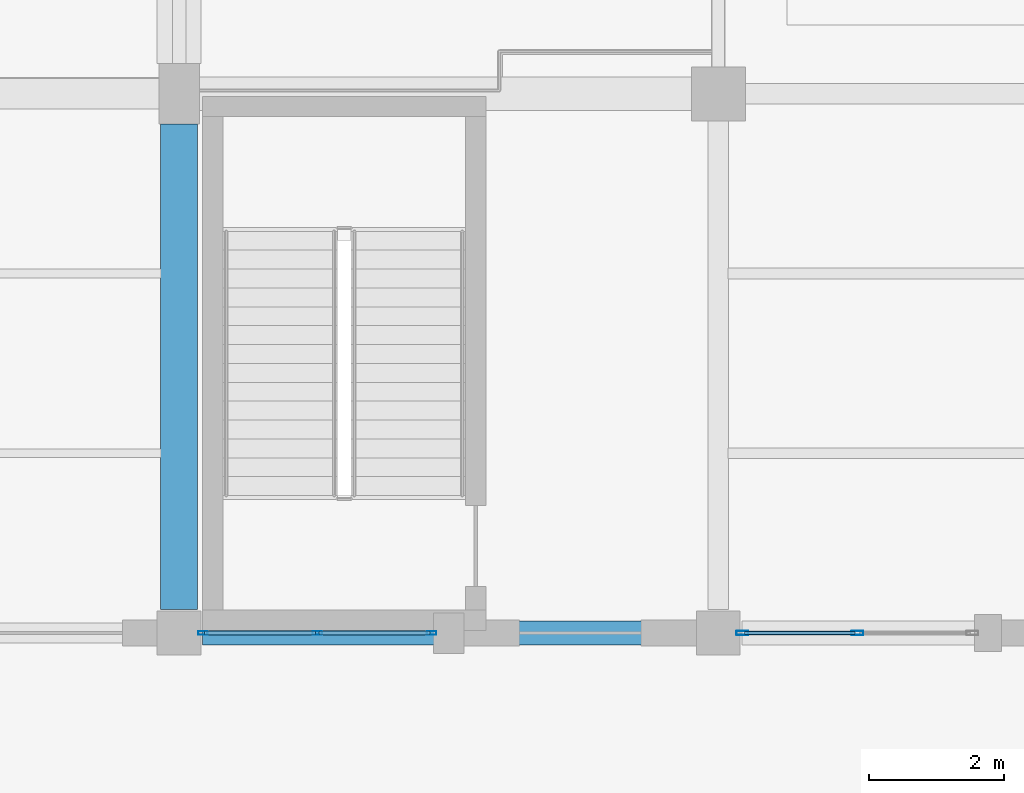
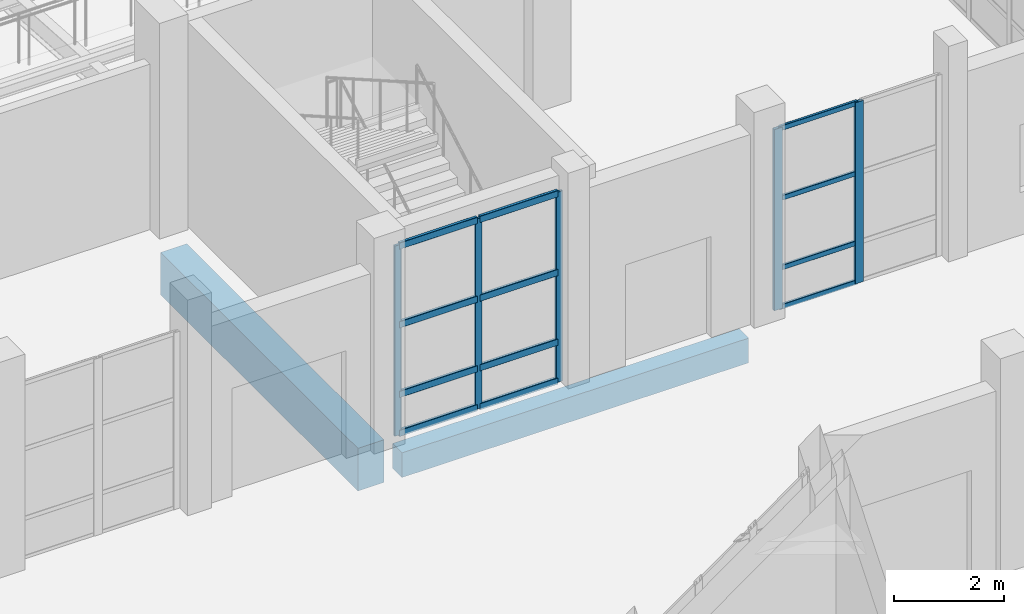
# One storey, part 35 of 156: 17 members, 2 beams, 2 elements without a shape of their own.
"""IFC4 building model written with IfcOpenShell, lengths in metres."""

from ifc_helpers import new_model, si_unit, direction, frame, origin, origin_2d, place, context, subcontext, project, spatial, rectangle, hollow_rectangle, extrude, material, material_profile, profile_set, type_object, element, aggregate, save


model = new_model("IFC4")

# Units and contexts
model_context = context("Model", 3, precision=1e-05, world=origin(), true_north=direction((0.0, 1.0)))
body_context = subcontext(model_context, "Body", "Model", "MODEL_VIEW")
ifc_project = project(units=[si_unit("LENGTHUNIT", "METRE"), si_unit("AREAUNIT", "SQUARE_METRE"), si_unit("VOLUMEUNIT", "CUBIC_METRE"), si_unit("PLANEANGLEUNIT", "RADIAN"), si_unit("MASSUNIT", "GRAM", prefix="KILO")], contexts=[model_context])

# Site, building, storey
site_placement = place(None, origin())
site = spatial("IfcSite", under=ifc_project, at=site_placement, CompositionType="ELEMENT")
building_placement = place(site_placement, origin())
building = spatial("IfcBuilding", under=site, at=building_placement, Name="Luwemba Playhouse", CompositionType="ELEMENT")
storey_placement = place(building_placement, origin())
storey = spatial("IfcBuildingStorey", under=building, at=storey_placement, Name="L00", CompositionType="ELEMENT", Elevation=0.0)

# Beams
ifc_material_1 = material(Name="Concrete C40/50", Category="concrete")
ifc_material_profile_1 = material_profile(ifc_material_1, rectangle(XDim=0.550048828125, YDim=0.949951171875, at=origin_2d()))
ifc_profile_set_1 = profile_set([ifc_material_profile_1], Name="Concrete C40/50")
beam_type_1 = type_object("IfcBeamType", Name="BM-RB08", PredefinedType="BEAM", material=ifc_profile_set_1)
beam_1_placement = place(storey_placement, frame((36.0, 36.35009765625, -0.77490234375), z_axis=(0.0, 1.0, 0.0), x_axis=(-1.0, 0.0, 0.0)))
element("IfcBeam", 1, at=beam_1_placement, inside=storey, type_object=beam_type_1, Name="L00 transverse girder 0031", PredefinedType="BEAM", context=body_context, shape_type="SweptSolid", body=[
    extrude(rectangle(XDim=0.550048828125, YDim=0.949951171875, at=origin_2d()), origin(), (0.0, 0.0, 1.0), 7.199951171875),
])
ifc_material_profile_2 = material_profile(ifc_material_1, rectangle(XDim=0.35009765625, YDim=0.550048828125, at=origin_2d()))
ifc_profile_set_2 = profile_set([ifc_material_profile_2], Name="Concrete C40/50")
beam_type_2 = type_object("IfcBeamType", Name="BM-SP2", PredefinedType="SPANDREL", material=ifc_profile_set_2)
beam_2_placement = place(storey_placement, frame((36.35009765625, 36.0, -0.574951171875), z_axis=(1.0, 0.0, 0.0), x_axis=(0.0, 1.0, 0.0)))
element("IfcBeam", 2, at=beam_2_placement, inside=storey, type_object=beam_type_2, Name="L00 grid girder 0005", PredefinedType="SPANDREL", context=body_context, shape_type="SweptSolid", body=[
    extrude(rectangle(XDim=0.35009765625, YDim=0.550048828125, at=origin_2d()), origin(), (0.0, 0.0, 1.0), 7.2998046875),
])

# Curtain wall, members
ifc_material_2 = material(Name="Solar-control double glazing", Category="glass")
curtain_wall_type_1 = type_object("IfcCurtainWallType", Name="CW-CW08", PredefinedType="USERDEFINED", material=ifc_material_2)
curtain_wall_1_placement = place(storey_placement, origin())
curtain_wall_1 = element("IfcCurtainWall", 3, at=curtain_wall_1_placement, inside=storey, type_object=curtain_wall_type_1, Name="L00 V1 unitised curtain wall 008", ObjectType="UNITISED GLAZING", PredefinedType="USERDEFINED")
ifc_material_3 = material(Name="Aluminium 6063-T6", Category="aluminium")
ifc_material_profile_3 = material_profile(ifc_material_3, hollow_rectangle(XDim=0.06494140625, YDim=0.179931640625, WallThickness=0.00439453125, InnerFilletRadius=0.0068359375, OuterFilletRadius=0.01123046875, at=origin_2d()))
ifc_profile_set_3 = profile_set([ifc_material_profile_3], Name="Aluminium 6063-T6")
member_type_1 = type_object("IfcMemberType", Name="CWM-M2", PredefinedType="MULLION", material=ifc_profile_set_3)
member_1_placement = place(storey_placement, frame((46.0625, 36.0, 0.0), z_axis=(0.0, 0.0, 1.0), x_axis=(0.0, -1.0, 0.0)))
member_1 = element("IfcMember", 4, at=member_1_placement, type_object=member_type_1, Name="CW08 mullion 2", PredefinedType="MULLION", context=body_context, shape_type="SweptSolid", body=[
    extrude(hollow_rectangle(XDim=0.06494140625, YDim=0.179931640625, WallThickness=0.00439453125, InnerFilletRadius=0.0068359375, OuterFilletRadius=0.01123046875, at=origin_2d()), origin(), (0.0, 0.0, 1.0), 4.034912109375),
])
member_2_placement = place(storey_placement, frame((44.357421875, 36.0, 0.0), z_axis=(0.0, 0.0, 1.0), x_axis=(0.0, -1.0, 0.0)))
member_2 = element("IfcMember", 5, at=member_2_placement, type_object=member_type_1, Name="CW08 mullion 3", PredefinedType="MULLION", context=body_context, shape_type="SweptSolid", body=[
    extrude(hollow_rectangle(XDim=0.06494140625, YDim=0.179931640625, WallThickness=0.00439453125, InnerFilletRadius=0.0068359375, OuterFilletRadius=0.01123046875, at=origin_2d()), origin(), (0.0, 0.0, 1.0), 4.034912109375),
])

curtain_wall_type_2 = type_object("IfcCurtainWallType", Name="CW-CW09", PredefinedType="USERDEFINED", material=ifc_material_2)
curtain_wall_2_placement = place(storey_placement, origin())
curtain_wall_2 = element("IfcCurtainWall", 6, at=curtain_wall_2_placement, inside=storey, type_object=curtain_wall_type_2, Name="L00 V1 unitised curtain wall 009", ObjectType="UNITISED GLAZING", PredefinedType="USERDEFINED")
ifc_material_profile_4 = material_profile(ifc_material_3, hollow_rectangle(XDim=0.054931640625, YDim=0.139892578125, WallThickness=0.00390625, InnerFilletRadius=0.006103515625, OuterFilletRadius=0.010009765625, at=origin_2d()))
ifc_profile_set_4 = profile_set([ifc_material_profile_4], Name="Aluminium 6063-T6")
member_type_2 = type_object("IfcMemberType", Name="CWM-M3", PredefinedType="MULLION", material=ifc_profile_set_4)
member_3_placement = place(storey_placement, frame((39.74755859375, 36.0, 0.0), z_axis=(0.0, 0.0, 1.0), x_axis=(0.0, -1.0, 0.0)))
member_3 = element("IfcMember", 7, at=member_3_placement, type_object=member_type_2, Name="CW09 mullion 1", PredefinedType="MULLION", context=body_context, shape_type="SweptSolid", body=[
    extrude(hollow_rectangle(XDim=0.054931640625, YDim=0.139892578125, WallThickness=0.00390625, InnerFilletRadius=0.006103515625, OuterFilletRadius=0.010009765625, at=origin_2d()), origin(), (0.0, 0.0, 1.0), 4.235107421875),
])
member_4_placement = place(storey_placement, frame((38.050048828125, 36.0, 0.0), z_axis=(0.0, 0.0, 1.0), x_axis=(0.0, -1.0, 0.0)))
member_4 = element("IfcMember", 8, at=member_4_placement, type_object=member_type_2, Name="CW09 mullion 2", PredefinedType="MULLION", context=body_context, shape_type="SweptSolid", body=[
    extrude(hollow_rectangle(XDim=0.054931640625, YDim=0.139892578125, WallThickness=0.00390625, InnerFilletRadius=0.006103515625, OuterFilletRadius=0.010009765625, at=origin_2d()), origin(), (0.0, 0.0, 1.0), 4.235107421875),
])
member_5_placement = place(storey_placement, frame((36.3525390625, 36.0, 0.0), z_axis=(0.0, 0.0, 1.0), x_axis=(0.0, -1.0, 0.0)))
member_5 = element("IfcMember", 9, at=member_5_placement, type_object=member_type_2, Name="CW09 mullion 3", PredefinedType="MULLION", context=body_context, shape_type="SweptSolid", body=[
    extrude(hollow_rectangle(XDim=0.054931640625, YDim=0.139892578125, WallThickness=0.00390625, InnerFilletRadius=0.006103515625, OuterFilletRadius=0.010009765625, at=origin_2d()), origin(), (0.0, 0.0, 1.0), 4.235107421875),
])

# Member
ifc_material_profile_5 = material_profile(ifc_material_3, hollow_rectangle(XDim=0.054931640625, YDim=0.110107421875, WallThickness=0.00341796875, InnerFilletRadius=0.00537109375, OuterFilletRadius=0.0087890625, at=origin_2d()))
ifc_profile_set_5 = profile_set([ifc_material_profile_5], Name="Aluminium 6063-T6")
member_type_3 = type_object("IfcMemberType", Name="CWT-T2", PredefinedType="USERDEFINED", material=ifc_profile_set_5)
member_6_placement = place(storey_placement, frame((46.030029296875, 36.0, 0.027587890625), z_axis=(-1.0, 0.0, 0.0), x_axis=(0.0, -1.0, 0.0)))
member_6 = element("IfcMember", 10, at=member_6_placement, type_object=member_type_3, Name="CW08 transom 2.1", ObjectType="TRANSOM", PredefinedType="USERDEFINED", context=body_context, shape_type="SweptSolid", body=[
    extrude(hollow_rectangle(XDim=0.054931640625, YDim=0.110107421875, WallThickness=0.00341796875, InnerFilletRadius=0.00537109375, OuterFilletRadius=0.0087890625, at=origin_2d()), origin(), (0.0, 0.0, 1.0), 1.64013671875),
])

member_7_placement = place(storey_placement, frame((46.030029296875, 36.0, 0.89990234375), z_axis=(-1.0, 0.0, 0.0), x_axis=(0.0, -1.0, 0.0)))
member_7 = element("IfcMember", 11, at=member_7_placement, type_object=member_type_3, Name="CW08 transom 2.2", ObjectType="TRANSOM", PredefinedType="USERDEFINED", context=body_context, shape_type="SweptSolid", body=[
    extrude(hollow_rectangle(XDim=0.054931640625, YDim=0.110107421875, WallThickness=0.00341796875, InnerFilletRadius=0.00537109375, OuterFilletRadius=0.0087890625, at=origin_2d()), origin(), (0.0, 0.0, 1.0), 1.64013671875),
])

member_8_placement = place(storey_placement, frame((46.030029296875, 36.0, 2.449951171875), z_axis=(-1.0, 0.0, 0.0), x_axis=(0.0, -1.0, 0.0)))
member_8 = element("IfcMember", 12, at=member_8_placement, type_object=member_type_3, Name="CW08 transom 2.3", ObjectType="TRANSOM", PredefinedType="USERDEFINED", context=body_context, shape_type="SweptSolid", body=[
    extrude(hollow_rectangle(XDim=0.054931640625, YDim=0.110107421875, WallThickness=0.00341796875, InnerFilletRadius=0.00537109375, OuterFilletRadius=0.0087890625, at=origin_2d()), origin(), (0.0, 0.0, 1.0), 1.64013671875),
])

member_9_placement = place(storey_placement, frame((46.030029296875, 36.0, 4.007568359375), z_axis=(-1.0, 0.0, 0.0), x_axis=(0.0, -1.0, 0.0)))
member_9 = element("IfcMember", 13, at=member_9_placement, type_object=member_type_3, Name="CW08 transom 2.4", ObjectType="TRANSOM", PredefinedType="USERDEFINED", context=body_context, shape_type="SweptSolid", body=[
    extrude(hollow_rectangle(XDim=0.054931640625, YDim=0.110107421875, WallThickness=0.00341796875, InnerFilletRadius=0.00537109375, OuterFilletRadius=0.0087890625, at=origin_2d()), origin(), (0.0, 0.0, 1.0), 1.64013671875),
])

aggregate(curtain_wall_1, [member_1, member_2, member_6, member_7, member_8, member_9])

ifc_material_profile_6 = material_profile(ifc_material_3, hollow_rectangle(XDim=0.06494140625, YDim=0.14990234375, WallThickness=0.00390625, InnerFilletRadius=0.006103515625, OuterFilletRadius=0.010009765625, at=origin_2d()))
ifc_profile_set_6 = profile_set([ifc_material_profile_6], Name="Aluminium 6063-T6")
member_type_4 = type_object("IfcMemberType", Name="CWT-T3", PredefinedType="USERDEFINED", material=ifc_profile_set_6)
member_10_placement = place(storey_placement, frame((39.719970703125, 36.0, 0.032470703125), z_axis=(-1.0, 0.0, 0.0), x_axis=(0.0, -1.0, 0.0)))
member_10 = element("IfcMember", 14, at=member_10_placement, type_object=member_type_4, Name="CW09 transom 1.1", ObjectType="TRANSOM", PredefinedType="USERDEFINED", context=body_context, shape_type="SweptSolid", body=[
    extrude(hollow_rectangle(XDim=0.06494140625, YDim=0.14990234375, WallThickness=0.00390625, InnerFilletRadius=0.006103515625, OuterFilletRadius=0.010009765625, at=origin_2d()), origin(), (0.0, 0.0, 1.0), 1.642578125),
])

member_11_placement = place(storey_placement, frame((39.719970703125, 36.0, 0.89990234375), z_axis=(-1.0, 0.0, 0.0), x_axis=(0.0, -1.0, 0.0)))
member_11 = element("IfcMember", 15, at=member_11_placement, type_object=member_type_4, Name="CW09 transom 1.2", ObjectType="TRANSOM", PredefinedType="USERDEFINED", context=body_context, shape_type="SweptSolid", body=[
    extrude(hollow_rectangle(XDim=0.06494140625, YDim=0.14990234375, WallThickness=0.00390625, InnerFilletRadius=0.006103515625, OuterFilletRadius=0.010009765625, at=origin_2d()), origin(), (0.0, 0.0, 1.0), 1.642578125),
])

member_12_placement = place(storey_placement, frame((39.719970703125, 36.0, 2.449951171875), z_axis=(-1.0, 0.0, 0.0), x_axis=(0.0, -1.0, 0.0)))
member_12 = element("IfcMember", 16, at=member_12_placement, type_object=member_type_4, Name="CW09 transom 1.3", ObjectType="TRANSOM", PredefinedType="USERDEFINED", context=body_context, shape_type="SweptSolid", body=[
    extrude(hollow_rectangle(XDim=0.06494140625, YDim=0.14990234375, WallThickness=0.00390625, InnerFilletRadius=0.006103515625, OuterFilletRadius=0.010009765625, at=origin_2d()), origin(), (0.0, 0.0, 1.0), 1.642578125),
])

member_13_placement = place(storey_placement, frame((39.719970703125, 36.0, 4.202392578125), z_axis=(-1.0, 0.0, 0.0), x_axis=(0.0, -1.0, 0.0)))
member_13 = element("IfcMember", 17, at=member_13_placement, type_object=member_type_4, Name="CW09 transom 1.4", ObjectType="TRANSOM", PredefinedType="USERDEFINED", context=body_context, shape_type="SweptSolid", body=[
    extrude(hollow_rectangle(XDim=0.06494140625, YDim=0.14990234375, WallThickness=0.00390625, InnerFilletRadius=0.006103515625, OuterFilletRadius=0.010009765625, at=origin_2d()), origin(), (0.0, 0.0, 1.0), 1.642578125),
])

member_14_placement = place(storey_placement, frame((38.0224609375, 36.0, 0.032470703125), z_axis=(-1.0, 0.0, 0.0), x_axis=(0.0, -1.0, 0.0)))
member_14 = element("IfcMember", 18, at=member_14_placement, type_object=member_type_4, Name="CW09 transom 2.1", ObjectType="TRANSOM", PredefinedType="USERDEFINED", context=body_context, shape_type="SweptSolid", body=[
    extrude(hollow_rectangle(XDim=0.06494140625, YDim=0.14990234375, WallThickness=0.00390625, InnerFilletRadius=0.006103515625, OuterFilletRadius=0.010009765625, at=origin_2d()), origin(), (0.0, 0.0, 1.0), 1.642578125),
])

member_15_placement = place(storey_placement, frame((38.0224609375, 36.0, 0.89990234375), z_axis=(-1.0, 0.0, 0.0), x_axis=(0.0, -1.0, 0.0)))
member_15 = element("IfcMember", 19, at=member_15_placement, type_object=member_type_4, Name="CW09 transom 2.2", ObjectType="TRANSOM", PredefinedType="USERDEFINED", context=body_context, shape_type="SweptSolid", body=[
    extrude(hollow_rectangle(XDim=0.06494140625, YDim=0.14990234375, WallThickness=0.00390625, InnerFilletRadius=0.006103515625, OuterFilletRadius=0.010009765625, at=origin_2d()), origin(), (0.0, 0.0, 1.0), 1.642578125),
])

member_16_placement = place(storey_placement, frame((38.0224609375, 36.0, 2.449951171875), z_axis=(-1.0, 0.0, 0.0), x_axis=(0.0, -1.0, 0.0)))
member_16 = element("IfcMember", 20, at=member_16_placement, type_object=member_type_4, Name="CW09 transom 2.3", ObjectType="TRANSOM", PredefinedType="USERDEFINED", context=body_context, shape_type="SweptSolid", body=[
    extrude(hollow_rectangle(XDim=0.06494140625, YDim=0.14990234375, WallThickness=0.00390625, InnerFilletRadius=0.006103515625, OuterFilletRadius=0.010009765625, at=origin_2d()), origin(), (0.0, 0.0, 1.0), 1.642578125),
])

member_17_placement = place(storey_placement, frame((38.0224609375, 36.0, 4.202392578125), z_axis=(-1.0, 0.0, 0.0), x_axis=(0.0, -1.0, 0.0)))
member_17 = element("IfcMember", 21, at=member_17_placement, type_object=member_type_4, Name="CW09 transom 2.4", ObjectType="TRANSOM", PredefinedType="USERDEFINED", context=body_context, shape_type="SweptSolid", body=[
    extrude(hollow_rectangle(XDim=0.06494140625, YDim=0.14990234375, WallThickness=0.00390625, InnerFilletRadius=0.006103515625, OuterFilletRadius=0.010009765625, at=origin_2d()), origin(), (0.0, 0.0, 1.0), 1.642578125),
])

aggregate(curtain_wall_2, [member_3, member_4, member_5, member_10, member_11, member_12, member_13, member_14, member_15, member_16, member_17])

save(model, "model.ifc")
